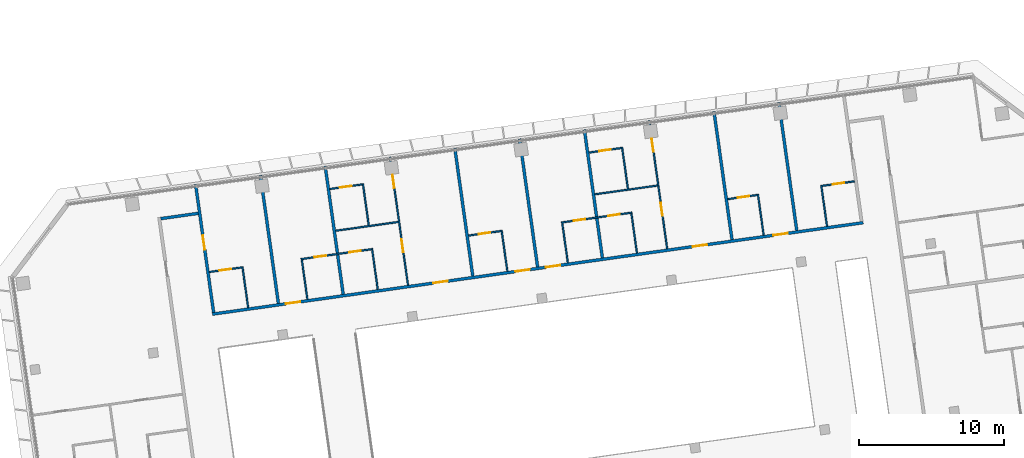
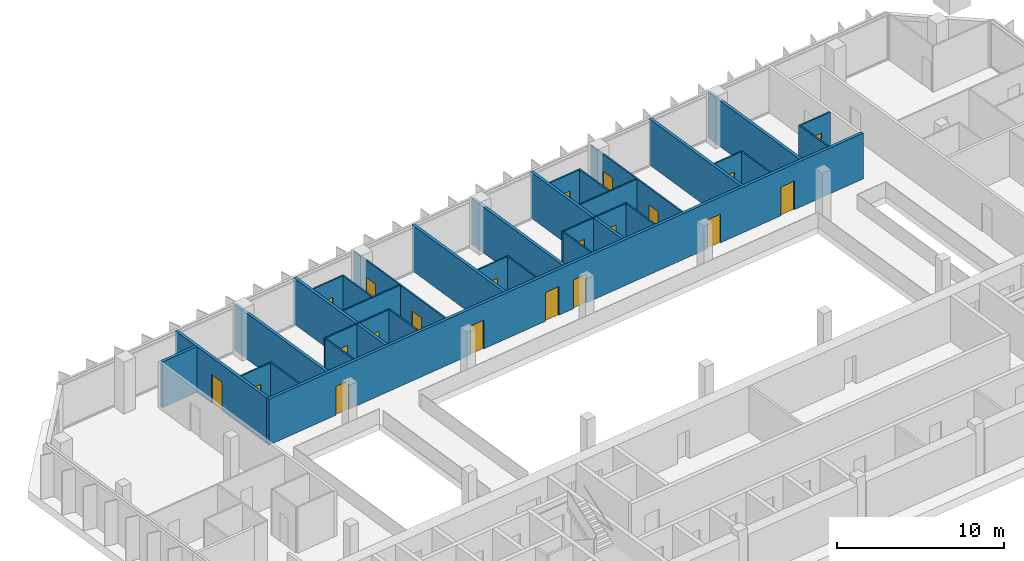
# One storey, part 22 of 26: 32 walls, 21 doors, 21 openings.
"""IFC4 building model written with IfcOpenShell, lengths in metres."""

import ifcopenshell
import ifcopenshell.guid

model = None  # the IFC model being written
_history = None  # IfcOwnerHistory: only IFC2X3 demands one
_inside = {}  # id of a spatial element -> (the spatial element, [elements in it])
_under = {}  # id of a project, library or spatial element -> (it, [spatial elements below it])
_declared = {}  # id of a project -> (the project, [libraries it declares])
_typed = {}  # id of a type object -> (the type object, [elements of that type])
_made_of = {}  # id of a material, layer set ... -> (it, [elements and type objects made of it])


def new_model(schema):
    """Start an empty IFC model of exactly this schema.

    Asked for "IFC4X3", IfcOpenShell would pick the latest addendum, in which some entities
    have other attributes; the version numbers below select the first issue.
    IFC2X3 requires an IfcOwnerHistory on every rooted entity: one is made here for all.
    """
    global model, _history
    if schema == "IFC4X3":
        model = ifcopenshell.file(schema_version=(4, 3, 0, 0))
    else:
        model = ifcopenshell.file(schema=schema)
    _inside.clear()
    _under.clear()
    _declared.clear()
    _typed.clear()
    _made_of.clear()
    _history = None
    if model.schema == "IFC2X3":
        org = make("IfcOrganization", Name="unknown")
        user = make(
            "IfcPersonAndOrganization",
            ThePerson=make("IfcPerson", FamilyName="unknown"),
            TheOrganization=org,
        )
        app = make(
            "IfcApplication",
            ApplicationDeveloper=org,
            Version="unknown",
            ApplicationFullName="unknown",
            ApplicationIdentifier="unknown",
        )
        _history = make(
            "IfcOwnerHistory",
            OwningUser=user,
            OwningApplication=app,
            ChangeAction="ADDED",
            CreationDate=0,
        )
    return model


def make(cls, **values):
    """One entity of the class cls with the attributes given. An attribute that is None is left unset."""
    return model.create_entity(
        cls, **{name: value for name, value in values.items() if value is not None}
    )


def rooted(cls, **values):
    """An entity with a GlobalId (a new one), such as an element, a storey or a relation."""
    return make(cls, GlobalId=ifcopenshell.guid.new(), OwnerHistory=_history, **values)


def si_unit(unit_type, name, prefix=None):
    """IfcSIUnit, for example si_unit("LENGTHUNIT", "METRE", prefix="MILLI")."""
    return make("IfcSIUnit", UnitType=unit_type, Prefix=prefix, Name=name)


def assignment(units):
    """IfcUnitAssignment: the units of a project."""
    return None if units is None else make("IfcUnitAssignment", Units=units)


def point(xyz):
    """IfcCartesianPoint."""
    return None if xyz is None else make("IfcCartesianPoint", Coordinates=xyz)


def direction(xyz):
    """IfcDirection."""
    return None if xyz is None else make("IfcDirection", DirectionRatios=xyz)


def frame(location, z_axis=None, x_axis=None):
    """IfcAxis2Placement3D, a coordinate frame: its origin and axes. An axis left out is left unset."""
    return make(
        "IfcAxis2Placement3D",
        Location=point(location),
        Axis=direction(z_axis),
        RefDirection=direction(x_axis),
    )


def frame_2d(location, x_axis=None):
    """IfcAxis2Placement2D, a coordinate frame in the plane: its origin and x axis."""
    return make(
        "IfcAxis2Placement2D", Location=point(location), RefDirection=direction(x_axis)
    )


def origin():
    """The frame at (0, 0, 0) with its axes left unset."""
    return frame((0.0, 0.0, 0.0))


def place(relative_to, where):
    """IfcLocalPlacement: puts the frame where relative to a parent placement (None: the world)."""
    return make(
        "IfcLocalPlacement", PlacementRelTo=relative_to, RelativePlacement=where
    )


def context(
    kind, dimensions, precision=None, world=None, true_north=None, identifier=None
):
    """IfcGeometricRepresentationContext, for example the 3D "Model" context."""
    return make(
        "IfcGeometricRepresentationContext",
        ContextIdentifier=identifier,
        ContextType=kind,
        CoordinateSpaceDimension=dimensions,
        Precision=precision,
        WorldCoordinateSystem=world,
        TrueNorth=true_north,
    )


def subcontext(parent, identifier, kind, view, scale=None):
    """IfcGeometricRepresentationSubContext, for example "Body" below "Model"."""
    return make(
        "IfcGeometricRepresentationSubContext",
        ContextIdentifier=identifier,
        ContextType=kind,
        ParentContext=parent,
        TargetScale=scale,
        TargetView=view,
    )


def project(units=None, contexts=None):
    """IfcProject with its units and contexts."""
    return rooted(
        "IfcProject",
        Name="project",
        RepresentationContexts=contexts,
        UnitsInContext=assignment(units),
    )


def spatial(cls, under=None, at=None, **own):
    """A site, building, storey or space (cls), placed at a placement, below another one or the project."""
    s = rooted(cls, ObjectPlacement=at, **own)
    if under is not None:
        _under.setdefault(under.id(), (under, []))[1].append(s)
    return s


def profile(cls, at=None, kind="AREA", **sizes):
    """A parametric profile (cls). Its sizes go by their IFC names, for example OverallWidth=200.0."""
    return make(cls, ProfileType=kind, Position=at, **sizes)


def rectangle(**sizes):
    """IfcRectangleProfileDef."""
    return profile("IfcRectangleProfileDef", **sizes)


def extrude(swept, where, along, depth):
    """IfcExtrudedAreaSolid: the profile swept, set in the frame where, extruded along a direction by depth."""
    return make(
        "IfcExtrudedAreaSolid",
        SweptArea=swept,
        Position=where,
        ExtrudedDirection=direction(along),
        Depth=depth,
    )


def shape(context_of_items, identifier, shape_type, items):
    """IfcShapeRepresentation: the items that make up one representation, for example the "Body"."""
    return make(
        "IfcShapeRepresentation",
        ContextOfItems=context_of_items,
        RepresentationIdentifier=identifier,
        RepresentationType=shape_type,
        Items=items,
    )


def material(Name=None, Category=None):
    """IfcMaterial."""
    return make("IfcMaterial", Name=Name, Category=Category)


def layer(
    of_material, thickness, ventilated=None, Name=None, Category=None, Priority=None
):
    """IfcMaterialLayer: one layer of a wall or slab, of a material (None: an air gap)."""
    return make(
        "IfcMaterialLayer",
        Material=of_material,
        LayerThickness=thickness,
        IsVentilated=ventilated,
        Name=Name,
        Category=Category,
        Priority=Priority,
    )


def layer_set(layers, Name=None):
    """IfcMaterialLayerSet."""
    return make("IfcMaterialLayerSet", MaterialLayers=layers, LayerSetName=Name)


def made_of(thing, what):
    """Note that an element or type object is made of a material, layer set ...; save() writes the relation."""
    if what is not None:
        _made_of.setdefault(what.id(), (what, []))[1].append(thing)
    return thing


def type_object(cls, material=None, **own):
    """A type object (cls), such as IfcWallType, which elements share."""
    return made_of(rooted(cls, **own), material)


def element(
    cls,
    number,
    at=None,
    inside=None,
    cuts=None,
    type_object=None,
    material=None,
    context=None,
    identifier="Body",
    shape_type=None,
    held_by="IfcProductDefinitionShape",
    body=None,
    shapes=None,
    **own,
):
    """One element of the class cls, such as IfcWall. Its Tag is "e" and its number.

    at: its placement. inside: the storey or other place that contains it. cuts: it is an
    opening in that element (IfcRelVoidsElement). A single representation is given by context,
    identifier, shape_type and body (its items); several are given by shapes. held_by: the class
    of the entity that holds the representations. save() writes the other relations.
    """
    e = rooted(cls, Tag="e%d" % number, ObjectPlacement=at, **own)
    if body is not None:
        shapes = [shape(context, identifier, shape_type, body)]
    if shapes is not None:
        e.Representation = make(held_by, Representations=shapes)
    if inside is not None:
        _inside.setdefault(inside.id(), (inside, []))[1].append(e)
    if cuts is not None:
        rooted(
            "IfcRelVoidsElement", RelatingBuildingElement=cuts, RelatedOpeningElement=e
        )
    if type_object is not None:
        _typed.setdefault(type_object.id(), (type_object, []))[1].append(e)
    return made_of(e, material)


def fill(opening, filler):
    """IfcRelFillsElement: the door or window that sits in an opening."""
    return rooted(
        "IfcRelFillsElement",
        RelatingOpeningElement=opening,
        RelatedBuildingElement=filler,
    )


def aggregate(whole, parts):
    """IfcRelAggregates: a whole, such as a stair, and the parts it consists of."""
    return rooted("IfcRelAggregates", RelatingObject=whole, RelatedObjects=parts)


def save(model, path):
    """Write the relations noted so far, then the file.

    IfcRelAggregates (storeys below a building ...), IfcRelContainedInSpatialStructure (elements
    in a storey), IfcRelDefinesByType, IfcRelAssociatesMaterial and IfcRelDeclares: one each for
    every whole, place, type object, material and project.
    """
    for whole, parts in _under.values():
        aggregate(whole, parts)
    for where, things in _inside.values():
        rooted(
            "IfcRelContainedInSpatialStructure",
            RelatedElements=things,
            RelatingStructure=where,
        )
    for kind, things in _typed.values():
        rooted("IfcRelDefinesByType", RelatedObjects=things, RelatingType=kind)
    for what, things in _made_of.values():
        rooted("IfcRelAssociatesMaterial", RelatedObjects=things, RelatingMaterial=what)
    for by, libraries in _declared.values():
        rooted("IfcRelDeclares", RelatingContext=by, RelatedDefinitions=libraries)
    model.write(path)


model = new_model("IFC4")

# Units and contexts
model_context = context("Model", 3, precision=1e-05, world=origin(), true_north=direction((0.0, 1.0)))
body_context = subcontext(model_context, "Body", "Model", "MODEL_VIEW")
ifc_project = project(units=[si_unit("LENGTHUNIT", "METRE"), si_unit("AREAUNIT", "SQUARE_METRE"), si_unit("VOLUMEUNIT", "CUBIC_METRE"), si_unit("PLANEANGLEUNIT", "RADIAN"), si_unit("MASSUNIT", "GRAM", prefix="KILO")], contexts=[model_context])

# Site, building, storey
site_placement = place(None, origin())
site = spatial("IfcSite", under=ifc_project, at=site_placement, CompositionType="ELEMENT")
building_placement = place(site_placement, origin())
building = spatial("IfcBuilding", under=site, at=building_placement, Name="Mirante Cascada Hotel Towers", CompositionType="ELEMENT")
storey_placement = place(building_placement, frame((0.0, 0.0, 144.3)))
storey = spatial("IfcBuildingStorey", under=building, at=storey_placement, Name="L33", CompositionType="ELEMENT", Elevation=144.3)

# Wall, openings, doors
ifc_material_1 = material(Name="Fire-rated plasterboard on metal studs")
ifc_layer_1 = layer(ifc_material_1, 0.2)
ifc_layer_set_1 = layer_set([ifc_layer_1], Name="Compartment wall 200 EI 120")
wall_type_1 = type_object("IfcWallType", Name="Compartment wall 200 EI 120", PredefinedType="PARTITIONING", material=ifc_layer_set_1)
wall_1_placement = place(storey_placement, frame((41.8779, 9.7676, 0.0), z_axis=(0.0, 0.0, 1.0), x_axis=(0.9902681, 0.1391726, 0.0)))
wall_1 = element("IfcWall", 1, at=wall_1_placement, inside=storey, type_object=wall_type_1, Name="Wall 2-L33-16", PredefinedType="PARTITIONING", context=body_context, shape_type="SweptSolid", body=[
    extrude(rectangle(XDim=45.2, YDim=0.2, at=frame_2d((22.6, 0.0))), origin(), (0.0, 0.0, 1.0), 3.35),
])
opening_1_placement = place(wall_1_placement, frame((5.1063, 0.0, 0.0)))
opening_1 = element("IfcOpeningElement", 2, at=opening_1_placement, cuts=wall_1, Name="Opening D2-L33-06", PredefinedType="OPENING", context=body_context, shape_type="SweptSolid", body=[
    extrude(rectangle(XDim=1.0, YDim=2.1, at=frame_2d((0.5, 1.05))), frame((0.0, 0.1, 0.0), z_axis=(0.0, -1.0, 0.0), x_axis=(1.0, 0.0, 0.0)), (0.0, 0.0, 1.0), 0.2),
])
opening_2_placement = place(wall_1_placement, frame((15.35, 0.0, 0.0)))
opening_2 = element("IfcOpeningElement", 3, at=opening_2_placement, cuts=wall_1, Name="Opening D2-L33-07", PredefinedType="OPENING", context=body_context, shape_type="SweptSolid", body=[
    extrude(rectangle(XDim=1.0, YDim=2.1, at=frame_2d((0.5, 1.05))), frame((0.0, 0.1, 0.0), z_axis=(0.0, -1.0, 0.0), x_axis=(1.0, 0.0, 0.0)), (0.0, 0.0, 1.0), 0.2),
])
opening_3_placement = place(wall_1_placement, frame((21.05, 0.0, 0.0)))
opening_3 = element("IfcOpeningElement", 4, at=opening_3_placement, cuts=wall_1, Name="Opening D2-L33-08", PredefinedType="OPENING", context=body_context, shape_type="SweptSolid", body=[
    extrude(rectangle(XDim=1.0, YDim=2.1, at=frame_2d((0.5, 1.05))), frame((0.0, 0.1, 0.0), z_axis=(0.0, -1.0, 0.0), x_axis=(1.0, 0.0, 0.0)), (0.0, 0.0, 1.0), 0.2),
])
opening_4_placement = place(wall_1_placement, frame((23.15, 0.0, 0.0)))
opening_4 = element("IfcOpeningElement", 5, at=opening_4_placement, cuts=wall_1, Name="Opening D2-L33-09", PredefinedType="OPENING", context=body_context, shape_type="SweptSolid", body=[
    extrude(rectangle(XDim=1.0, YDim=2.1, at=frame_2d((0.5, 1.05))), frame((0.0, 0.1, 0.0), z_axis=(0.0, -1.0, 0.0), x_axis=(1.0, 0.0, 0.0)), (0.0, 0.0, 1.0), 0.2),
])
opening_5_placement = place(wall_1_placement, frame((33.35, 0.0, 0.0)))
opening_5 = element("IfcOpeningElement", 6, at=opening_5_placement, cuts=wall_1, Name="Opening D2-L33-10", PredefinedType="OPENING", context=body_context, shape_type="SweptSolid", body=[
    extrude(rectangle(XDim=1.0, YDim=2.1, at=frame_2d((0.5, 1.05))), frame((0.0, 0.1, 0.0), z_axis=(0.0, -1.0, 0.0), x_axis=(1.0, 0.0, 0.0)), (0.0, 0.0, 1.0), 0.2),
])
opening_6_placement = place(wall_1_placement, frame((38.95, 0.0, 0.0)))
opening_6 = element("IfcOpeningElement", 7, at=opening_6_placement, cuts=wall_1, Name="Opening D2-L33-11", PredefinedType="OPENING", context=body_context, shape_type="SweptSolid", body=[
    extrude(rectangle(XDim=1.0, YDim=2.1, at=frame_2d((0.5, 1.05))), frame((0.0, 0.1, 0.0), z_axis=(0.0, -1.0, 0.0), x_axis=(1.0, 0.0, 0.0)), (0.0, 0.0, 1.0), 0.2),
])
ifc_material_2 = material(Name="Fire-rated timber door leaf", Category="wood")
door_type_1 = type_object("IfcDoorType", Name="Entrance door DG1 1000x2100 EI 60", OperationType="SINGLE_SWING_LEFT", PredefinedType="DOOR", material=ifc_material_2)
door_1_placement = place(opening_1_placement, origin())
door_1 = element("IfcDoor", 8, at=door_1_placement, inside=storey, type_object=door_type_1, Name="Door D2-L33-06", OperationType="SINGLE_SWING_LEFT", OverallHeight=2.1, OverallWidth=1.0, PredefinedType="DOOR", context=body_context, shape_type="SweptSolid", body=[
    extrude(rectangle(XDim=1.0, YDim=2.1, at=frame_2d((0.5, 1.05))), frame((0.0, 0.025, 0.0), z_axis=(0.0, -1.0, 0.0), x_axis=(1.0, 0.0, 0.0)), (0.0, 0.0, 1.0), 0.05),
])
fill(opening_1, door_1)
door_2_placement = place(opening_2_placement, origin())
door_2 = element("IfcDoor", 9, at=door_2_placement, inside=storey, type_object=door_type_1, Name="Door D2-L33-07", OperationType="SINGLE_SWING_LEFT", OverallHeight=2.1, OverallWidth=1.0, PredefinedType="DOOR", context=body_context, shape_type="SweptSolid", body=[
    extrude(rectangle(XDim=1.0, YDim=2.1, at=frame_2d((0.5, 1.05))), frame((0.0, 0.025, 0.0), z_axis=(0.0, -1.0, 0.0), x_axis=(1.0, 0.0, 0.0)), (0.0, 0.0, 1.0), 0.05),
])
fill(opening_2, door_2)
door_3_placement = place(opening_3_placement, origin())
door_3 = element("IfcDoor", 10, at=door_3_placement, inside=storey, type_object=door_type_1, Name="Door D2-L33-08", OperationType="SINGLE_SWING_LEFT", OverallHeight=2.1, OverallWidth=1.0, PredefinedType="DOOR", context=body_context, shape_type="SweptSolid", body=[
    extrude(rectangle(XDim=1.0, YDim=2.1, at=frame_2d((0.5, 1.05))), frame((0.0, 0.025, 0.0), z_axis=(0.0, -1.0, 0.0), x_axis=(1.0, 0.0, 0.0)), (0.0, 0.0, 1.0), 0.05),
])
fill(opening_3, door_3)
door_4_placement = place(opening_4_placement, origin())
door_4 = element("IfcDoor", 11, at=door_4_placement, inside=storey, type_object=door_type_1, Name="Door D2-L33-09", OperationType="SINGLE_SWING_LEFT", OverallHeight=2.1, OverallWidth=1.0, PredefinedType="DOOR", context=body_context, shape_type="SweptSolid", body=[
    extrude(rectangle(XDim=1.0, YDim=2.1, at=frame_2d((0.5, 1.05))), frame((0.0, 0.025, 0.0), z_axis=(0.0, -1.0, 0.0), x_axis=(1.0, 0.0, 0.0)), (0.0, 0.0, 1.0), 0.05),
])
fill(opening_4, door_4)
door_5_placement = place(opening_5_placement, origin())
door_5 = element("IfcDoor", 12, at=door_5_placement, inside=storey, type_object=door_type_1, Name="Door D2-L33-10", OperationType="SINGLE_SWING_LEFT", OverallHeight=2.1, OverallWidth=1.0, PredefinedType="DOOR", context=body_context, shape_type="SweptSolid", body=[
    extrude(rectangle(XDim=1.0, YDim=2.1, at=frame_2d((0.5, 1.05))), frame((0.0, 0.025, 0.0), z_axis=(0.0, -1.0, 0.0), x_axis=(1.0, 0.0, 0.0)), (0.0, 0.0, 1.0), 0.05),
])
fill(opening_5, door_5)
door_6_placement = place(opening_6_placement, origin())
door_6 = element("IfcDoor", 13, at=door_6_placement, inside=storey, type_object=door_type_1, Name="Door D2-L33-11", OperationType="SINGLE_SWING_LEFT", OverallHeight=2.1, OverallWidth=1.0, PredefinedType="DOOR", context=body_context, shape_type="SweptSolid", body=[
    extrude(rectangle(XDim=1.0, YDim=2.1, at=frame_2d((0.5, 1.05))), frame((0.0, 0.025, 0.0), z_axis=(0.0, -1.0, 0.0), x_axis=(1.0, 0.0, 0.0)), (0.0, 0.0, 1.0), 0.05),
])
fill(opening_6, door_6)

# Wall
wall_2_placement = place(storey_placement, frame((38.329, 16.3376, 0.0), z_axis=(0.0, 0.0, 1.0), x_axis=(0.9902647, 0.1391971, 0.0)))
element("IfcWall", 14, at=wall_2_placement, inside=storey, type_object=wall_type_1, Name="Wall 2-L33-26", PredefinedType="PARTITIONING", context=body_context, shape_type="SweptSolid", body=[
    extrude(rectangle(XDim=2.5999, YDim=0.2, at=frame_2d((1.3, 0.0))), origin(), (0.0, 0.0, 1.0), 3.35),
])

# Wall, opening, door
wall_3_placement = place(storey_placement, frame((41.963, 9.8805, 0.0), z_axis=(0.0, 0.0, 1.0), x_axis=(-0.1391794, 0.9902672, 0.0)))
wall_3 = element("IfcWall", 15, at=wall_3_placement, inside=storey, type_object=wall_type_1, Name="Wall 2-L33-36", PredefinedType="PARTITIONING", context=body_context, shape_type="SweptSolid", body=[
    extrude(rectangle(XDim=8.9, YDim=0.2, at=frame_2d((4.45, 0.0))), origin(), (0.0, 0.0, 1.0), 3.35),
])
opening_7_placement = place(wall_3_placement, frame((4.35, 0.0, 0.0)))
opening_7 = element("IfcOpeningElement", 16, at=opening_7_placement, cuts=wall_3, Name="Opening D2-L33-27", PredefinedType="OPENING", context=body_context, shape_type="SweptSolid", body=[
    extrude(rectangle(XDim=1.0, YDim=2.1, at=frame_2d((0.5, 1.05))), frame((0.0, 0.1, 0.0), z_axis=(0.0, -1.0, 0.0), x_axis=(1.0, 0.0, 0.0)), (0.0, 0.0, 1.0), 0.2),
])
door_7_placement = place(opening_7_placement, frame((1.0, 0.0, 0.0), z_axis=(0.0, 0.0, 1.0), x_axis=(-1.0, 0.0, 0.0)))
door_7 = element("IfcDoor", 17, at=door_7_placement, inside=storey, type_object=door_type_1, Name="Door D2-L33-27", OperationType="SINGLE_SWING_RIGHT", OverallHeight=2.1, OverallWidth=1.0, PredefinedType="DOOR", context=body_context, shape_type="SweptSolid", body=[
    extrude(rectangle(XDim=1.0, YDim=2.1, at=frame_2d((0.5, 1.05))), frame((0.0, 0.025, 0.0), z_axis=(0.0, -1.0, 0.0), x_axis=(1.0, 0.0, 0.0)), (0.0, 0.0, 1.0), 0.05),
])
fill(opening_7, door_7)

# Walls
for number, where, z_axis, x_axis, name in (
    (18, (46.4192, 10.5068, 0.0), (0.0, 0.0, 1.0), (-0.1391794, 0.9902672, 0.0), "Wall 2-L33-38"),
    (19, (50.8754, 11.1331, 0.0), (0.0, 0.0, 1.0), (-0.1391794, 0.9902672, 0.0), "Wall 2-L33-40"),
):
    element("IfcWall", number, at=place(storey_placement, frame(where, z_axis=z_axis, x_axis=x_axis)), inside=storey, type_object=wall_type_1, Name=name, PredefinedType="PARTITIONING", context=body_context, shape_type="SweptSolid", body=[
        extrude(rectangle(XDim=8.9, YDim=0.2, at=frame_2d((4.45, 0.0))), origin(), (0.0, 0.0, 1.0), 3.35),
    ])
wall_4_placement = place(storey_placement, frame((59.7878, 12.3857, 0.0), z_axis=(0.0, 0.0, 1.0), x_axis=(-0.13917, 0.9902685, 0.0)))
element("IfcWall", 20, at=wall_4_placement, inside=storey, type_object=wall_type_1, Name="Wall 2-L33-44", PredefinedType="PARTITIONING", context=body_context, shape_type="SweptSolid", body=[
    extrude(rectangle(XDim=8.8999, YDim=0.2, at=frame_2d((4.45, 0.0))), origin(), (0.0, 0.0, 1.0), 3.35),
])
for number, where, z_axis, x_axis, name in (
    (21, (64.244, 13.0119, 0.0), (0.0, 0.0, 1.0), (-0.1391684, 0.9902687, 0.0), "Wall 2-L33-46"),
    (22, (68.7002, 13.6382, 0.0), (0.0, 0.0, 1.0), (-0.1391684, 0.9902687, 0.0), "Wall 2-L33-48"),
    (23, (77.6126, 14.8908, 0.0), (0.0, 0.0, 1.0), (-0.1391684, 0.9902687, 0.0), "Wall 2-L33-52"),
):
    element("IfcWall", number, at=place(storey_placement, frame(where, z_axis=z_axis, x_axis=x_axis)), inside=storey, type_object=wall_type_1, Name=name, PredefinedType="PARTITIONING", context=body_context, shape_type="SweptSolid", body=[
        extrude(rectangle(XDim=8.9, YDim=0.2, at=frame_2d((4.45, 0.0))), origin(), (0.0, 0.0, 1.0), 3.35),
    ])
wall_5_placement = place(storey_placement, frame((82.0688, 15.5171, 0.0), z_axis=(0.0, 0.0, 1.0), x_axis=(-0.13917, 0.9902685, 0.0)))
element("IfcWall", 24, at=wall_5_placement, inside=storey, type_object=wall_type_1, Name="Wall 2-L33-54", PredefinedType="PARTITIONING", context=body_context, shape_type="SweptSolid", body=[
    extrude(rectangle(XDim=8.8999, YDim=0.2, at=frame_2d((4.45, 0.0))), origin(), (0.0, 0.0, 1.0), 3.35),
])

# Wall, opening, door
ifc_material_3 = material(Name="Plasterboard on metal studs")
ifc_layer_2 = layer(ifc_material_3, 0.1)
ifc_layer_set_2 = layer_set([ifc_layer_2], Name="Partition 100")
wall_type_2 = type_object("IfcWallType", Name="Partition 100", PredefinedType="PARTITIONING", material=ifc_layer_set_2)
wall_6_placement = place(storey_placement, frame((43.9004, 12.9804, 0.0), z_axis=(0.0, 0.0, 1.0), x_axis=(-0.9902643, -0.1391997, 0.0)))
wall_6 = element("IfcWall", 25, at=wall_6_placement, inside=storey, type_object=wall_type_2, Name="Wall 2-L33-17", PredefinedType="PARTITIONING", context=body_context, shape_type="SweptSolid", body=[
    extrude(rectangle(XDim=2.25, YDim=0.1, at=frame_2d((1.125, 0.0))), origin(), (0.0, 0.0, 1.0), 3.35),
])
opening_8_placement = place(wall_6_placement, frame((0.75, 0.0, 0.0)))
opening_8 = element("IfcOpeningElement", 26, at=opening_8_placement, cuts=wall_6, Name="Opening D2-L33-12", PredefinedType="OPENING", context=body_context, shape_type="SweptSolid", body=[
    extrude(rectangle(XDim=0.8, YDim=2.1, at=frame_2d((0.4, 1.05))), frame((0.0, 0.05, 0.0), z_axis=(0.0, -1.0, 0.0), x_axis=(1.0, 0.0, 0.0)), (0.0, 0.0, 1.0), 0.1),
])
ifc_material_4 = material(Name="Timber door leaf", Category="wood")
door_type_2 = type_object("IfcDoorType", Name="Bathroom door DG4 800x2100", OperationType="SINGLE_SWING_LEFT", PredefinedType="DOOR", material=ifc_material_4)
door_8_placement = place(opening_8_placement, frame((0.8, 0.0, 0.0), z_axis=(0.0, 0.0, 1.0), x_axis=(-1.0, 0.0, 0.0)))
door_8 = element("IfcDoor", 27, at=door_8_placement, inside=storey, type_object=door_type_2, Name="Door D2-L33-12", OperationType="SINGLE_SWING_RIGHT", OverallHeight=2.1, OverallWidth=0.8, PredefinedType="DOOR", context=body_context, shape_type="SweptSolid", body=[
    extrude(rectangle(XDim=0.8, YDim=2.1, at=frame_2d((0.4, 1.05))), frame((0.0, 0.025, 0.0), z_axis=(0.0, -1.0, 0.0), x_axis=(1.0, 0.0, 0.0)), (0.0, 0.0, 1.0), 0.05),
])
fill(opening_8, door_8)

# Wall, openings, doors
wall_7_placement = place(storey_placement, frame((47.9729, 13.5527, 0.0), z_axis=(0.0, 0.0, 1.0), x_axis=(0.9902689, 0.139167, 0.0)))
wall_7 = element("IfcWall", 28, at=wall_7_placement, inside=storey, type_object=wall_type_2, Name="Wall 2-L33-18", PredefinedType="PARTITIONING", context=body_context, shape_type="SweptSolid", body=[
    extrude(rectangle(XDim=4.9875, YDim=0.1, at=frame_2d((2.4938, 0.0))), origin(), (0.0, 0.0, 1.0), 3.35),
])
opening_9_placement = place(wall_7_placement, frame((0.9375, 0.0, 0.0)))
opening_9 = element("IfcOpeningElement", 29, at=opening_9_placement, cuts=wall_7, Name="Opening D2-L33-13", PredefinedType="OPENING", context=body_context, shape_type="SweptSolid", body=[
    extrude(rectangle(XDim=0.8, YDim=2.1, at=frame_2d((0.4, 1.05))), frame((0.0, 0.05, 0.0), z_axis=(0.0, -1.0, 0.0), x_axis=(1.0, 0.0, 0.0)), (0.0, 0.0, 1.0), 0.1),
])
opening_10_placement = place(wall_7_placement, frame((3.3375, 0.0, 0.0)))
opening_10 = element("IfcOpeningElement", 30, at=opening_10_placement, cuts=wall_7, Name="Opening D2-L33-14", PredefinedType="OPENING", context=body_context, shape_type="SweptSolid", body=[
    extrude(rectangle(XDim=0.8, YDim=2.1, at=frame_2d((0.4, 1.05))), frame((0.0, 0.05, 0.0), z_axis=(0.0, -1.0, 0.0), x_axis=(1.0, 0.0, 0.0)), (0.0, 0.0, 1.0), 0.1),
])
door_9_placement = place(opening_9_placement, origin())
door_9 = element("IfcDoor", 31, at=door_9_placement, inside=storey, type_object=door_type_2, Name="Door D2-L33-13", OperationType="SINGLE_SWING_LEFT", OverallHeight=2.1, OverallWidth=0.8, PredefinedType="DOOR", context=body_context, shape_type="SweptSolid", body=[
    extrude(rectangle(XDim=0.8, YDim=2.1, at=frame_2d((0.4, 1.05))), frame((0.0, 0.025, 0.0), z_axis=(0.0, -1.0, 0.0), x_axis=(1.0, 0.0, 0.0)), (0.0, 0.0, 1.0), 0.05),
])
fill(opening_9, door_9)
door_10_placement = place(opening_10_placement, frame((0.8, 0.0, 0.0), z_axis=(0.0, 0.0, 1.0), x_axis=(-1.0, 0.0, 0.0)))
door_10 = element("IfcDoor", 32, at=door_10_placement, inside=storey, type_object=door_type_2, Name="Door D2-L33-14", OperationType="SINGLE_SWING_RIGHT", OverallHeight=2.1, OverallWidth=0.8, PredefinedType="DOOR", context=body_context, shape_type="SweptSolid", body=[
    extrude(rectangle(XDim=0.8, YDim=2.1, at=frame_2d((0.4, 1.05))), frame((0.0, 0.025, 0.0), z_axis=(0.0, -1.0, 0.0), x_axis=(1.0, 0.0, 0.0)), (0.0, 0.0, 1.0), 0.05),
])
fill(opening_10, door_10)

# Wall, opening, door
wall_8_placement = place(storey_placement, frame((61.7252, 15.4855, 0.0), z_axis=(0.0, 0.0, 1.0), x_axis=(-0.9902643, -0.1391997, 0.0)))
wall_8 = element("IfcWall", 33, at=wall_8_placement, inside=storey, type_object=wall_type_2, Name="Wall 2-L33-19", PredefinedType="PARTITIONING", context=body_context, shape_type="SweptSolid", body=[
    extrude(rectangle(XDim=2.25, YDim=0.1, at=frame_2d((1.125, 0.0))), origin(), (0.0, 0.0, 1.0), 3.35),
])
opening_11_placement = place(wall_8_placement, frame((0.75, 0.0, 0.0)))
opening_11 = element("IfcOpeningElement", 34, at=opening_11_placement, cuts=wall_8, Name="Opening D2-L33-15", PredefinedType="OPENING", context=body_context, shape_type="SweptSolid", body=[
    extrude(rectangle(XDim=0.8, YDim=2.1, at=frame_2d((0.4, 1.05))), frame((0.0, 0.05, 0.0), z_axis=(0.0, -1.0, 0.0), x_axis=(1.0, 0.0, 0.0)), (0.0, 0.0, 1.0), 0.1),
])
door_11_placement = place(opening_11_placement, frame((0.8, 0.0, 0.0), z_axis=(0.0, 0.0, 1.0), x_axis=(-1.0, 0.0, 0.0)))
door_11 = element("IfcDoor", 35, at=door_11_placement, inside=storey, type_object=door_type_2, Name="Door D2-L33-15", OperationType="SINGLE_SWING_RIGHT", OverallHeight=2.1, OverallWidth=0.8, PredefinedType="DOOR", context=body_context, shape_type="SweptSolid", body=[
    extrude(rectangle(XDim=0.8, YDim=2.1, at=frame_2d((0.4, 1.05))), frame((0.0, 0.025, 0.0), z_axis=(0.0, -1.0, 0.0), x_axis=(1.0, 0.0, 0.0)), (0.0, 0.0, 1.0), 0.05),
])
fill(opening_11, door_11)

# Wall, openings, doors
wall_9_placement = place(storey_placement, frame((65.8844, 16.07, 0.0), z_axis=(0.0, 0.0, 1.0), x_axis=(0.9902694, 0.1391638, 0.0)))
wall_9 = element("IfcWall", 36, at=wall_9_placement, inside=storey, type_object=wall_type_2, Name="Wall 2-L33-20", PredefinedType="PARTITIONING", context=body_context, shape_type="SweptSolid", body=[
    extrude(rectangle(XDim=4.9, YDim=0.1, at=frame_2d((2.45, 0.0))), origin(), (0.0, 0.0, 1.0), 3.35),
])
opening_12_placement = place(wall_9_placement, frame((0.85, 0.0, 0.0)))
opening_12 = element("IfcOpeningElement", 37, at=opening_12_placement, cuts=wall_9, Name="Opening D2-L33-16", PredefinedType="OPENING", context=body_context, shape_type="SweptSolid", body=[
    extrude(rectangle(XDim=0.8, YDim=2.1, at=frame_2d((0.4, 1.05))), frame((0.0, 0.05, 0.0), z_axis=(0.0, -1.0, 0.0), x_axis=(1.0, 0.0, 0.0)), (0.0, 0.0, 1.0), 0.1),
])
opening_13_placement = place(wall_9_placement, frame((3.25, 0.0, 0.0)))
opening_13 = element("IfcOpeningElement", 38, at=opening_13_placement, cuts=wall_9, Name="Opening D2-L33-17", PredefinedType="OPENING", context=body_context, shape_type="SweptSolid", body=[
    extrude(rectangle(XDim=0.8, YDim=2.1, at=frame_2d((0.4, 1.05))), frame((0.0, 0.05, 0.0), z_axis=(0.0, -1.0, 0.0), x_axis=(1.0, 0.0, 0.0)), (0.0, 0.0, 1.0), 0.1),
])
door_12_placement = place(opening_12_placement, origin())
door_12 = element("IfcDoor", 39, at=door_12_placement, inside=storey, type_object=door_type_2, Name="Door D2-L33-16", OperationType="SINGLE_SWING_LEFT", OverallHeight=2.1, OverallWidth=0.8, PredefinedType="DOOR", context=body_context, shape_type="SweptSolid", body=[
    extrude(rectangle(XDim=0.8, YDim=2.1, at=frame_2d((0.4, 1.05))), frame((0.0, 0.025, 0.0), z_axis=(0.0, -1.0, 0.0), x_axis=(1.0, 0.0, 0.0)), (0.0, 0.0, 1.0), 0.05),
])
fill(opening_12, door_12)
door_13_placement = place(opening_13_placement, frame((0.8, 0.0, 0.0), z_axis=(0.0, 0.0, 1.0), x_axis=(-1.0, 0.0, 0.0)))
door_13 = element("IfcDoor", 40, at=door_13_placement, inside=storey, type_object=door_type_2, Name="Door D2-L33-17", OperationType="SINGLE_SWING_RIGHT", OverallHeight=2.1, OverallWidth=0.8, PredefinedType="DOOR", context=body_context, shape_type="SweptSolid", body=[
    extrude(rectangle(XDim=0.8, YDim=2.1, at=frame_2d((0.4, 1.05))), frame((0.0, 0.025, 0.0), z_axis=(0.0, -1.0, 0.0), x_axis=(1.0, 0.0, 0.0)), (0.0, 0.0, 1.0), 0.05),
])
fill(opening_13, door_13)

# Wall, opening, door
wall_10_placement = place(storey_placement, frame((79.352, 17.9627, 0.0), z_axis=(0.0, 0.0, 1.0), x_axis=(-0.9902679, -0.1391741, 0.0)))
wall_10 = element("IfcWall", 41, at=wall_10_placement, inside=storey, type_object=wall_type_2, Name="Wall 2-L33-21", PredefinedType="PARTITIONING", context=body_context, shape_type="SweptSolid", body=[
    extrude(rectangle(XDim=2.05, YDim=0.1, at=frame_2d((1.025, 0.0))), origin(), (0.0, 0.0, 1.0), 3.35),
])
opening_14_placement = place(wall_10_placement, frame((0.55, 0.0, 0.0)))
opening_14 = element("IfcOpeningElement", 42, at=opening_14_placement, cuts=wall_10, Name="Opening D2-L33-18", PredefinedType="OPENING", context=body_context, shape_type="SweptSolid", body=[
    extrude(rectangle(XDim=0.8, YDim=2.1, at=frame_2d((0.4, 1.05))), frame((0.0, 0.05, 0.0), z_axis=(0.0, -1.0, 0.0), x_axis=(1.0, 0.0, 0.0)), (0.0, 0.0, 1.0), 0.1),
])
door_14_placement = place(opening_14_placement, frame((0.8, 0.0, 0.0), z_axis=(0.0, 0.0, 1.0), x_axis=(-1.0, 0.0, 0.0)))
door_14 = element("IfcDoor", 43, at=door_14_placement, inside=storey, type_object=door_type_2, Name="Door D2-L33-18", OperationType="SINGLE_SWING_RIGHT", OverallHeight=2.1, OverallWidth=0.8, PredefinedType="DOOR", context=body_context, shape_type="SweptSolid", body=[
    extrude(rectangle(XDim=0.8, YDim=2.1, at=frame_2d((0.4, 1.05))), frame((0.0, 0.025, 0.0), z_axis=(0.0, -1.0, 0.0), x_axis=(1.0, 0.0, 0.0)), (0.0, 0.0, 1.0), 0.05),
])
fill(opening_14, door_14)

wall_11_placement = place(storey_placement, frame((83.8082, 18.589, 0.0), z_axis=(0.0, 0.0, 1.0), x_axis=(0.9902643, 0.1391997, 0.0)))
wall_11 = element("IfcWall", 44, at=wall_11_placement, inside=storey, type_object=wall_type_2, Name="Wall 2-L33-22", PredefinedType="PARTITIONING", context=body_context, shape_type="SweptSolid", body=[
    extrude(rectangle(XDim=2.25, YDim=0.1, at=frame_2d((1.125, 0.0))), origin(), (0.0, 0.0, 1.0), 3.35),
])
opening_15_placement = place(wall_11_placement, frame((0.75, 0.0, 0.0)))
opening_15 = element("IfcOpeningElement", 45, at=opening_15_placement, cuts=wall_11, Name="Opening D2-L33-19", PredefinedType="OPENING", context=body_context, shape_type="SweptSolid", body=[
    extrude(rectangle(XDim=0.8, YDim=2.1, at=frame_2d((0.4, 1.05))), frame((0.0, 0.05, 0.0), z_axis=(0.0, -1.0, 0.0), x_axis=(1.0, 0.0, 0.0)), (0.0, 0.0, 1.0), 0.1),
])
door_15_placement = place(opening_15_placement, origin())
door_15 = element("IfcDoor", 46, at=door_15_placement, inside=storey, type_object=door_type_2, Name="Door D2-L33-19", OperationType="SINGLE_SWING_LEFT", OverallHeight=2.1, OverallWidth=0.8, PredefinedType="DOOR", context=body_context, shape_type="SweptSolid", body=[
    extrude(rectangle(XDim=0.8, YDim=2.1, at=frame_2d((0.4, 1.05))), frame((0.0, 0.025, 0.0), z_axis=(0.0, -1.0, 0.0), x_axis=(1.0, 0.0, 0.0)), (0.0, 0.0, 1.0), 0.05),
])
fill(opening_15, door_15)

# Walls
wall_12_placement = place(storey_placement, frame((54.6697, 16.1096, 0.0), z_axis=(0.0, 0.0, 1.0), x_axis=(-0.9902683, -0.1391714, 0.0)))
element("IfcWall", 47, at=wall_12_placement, inside=storey, type_object=wall_type_2, Name="Wall 2-L33-23", PredefinedType="PARTITIONING", context=body_context, shape_type="SweptSolid", body=[
    extrude(rectangle(XDim=4.35, YDim=0.1, at=frame_2d((2.175, 0.0))), origin(), (0.0, 0.0, 1.0), 3.35),
])
wall_13_placement = place(storey_placement, frame((68.1869, 18.0093, 0.0), z_axis=(0.0, 0.0, 1.0), x_axis=(0.9902679, 0.1391745, 0.0)))
element("IfcWall", 48, at=wall_13_placement, inside=storey, type_object=wall_type_2, Name="Wall 2-L33-24", PredefinedType="PARTITIONING", context=body_context, shape_type="SweptSolid", body=[
    extrude(rectangle(XDim=4.3499, YDim=0.1, at=frame_2d((2.175, 0.0))), origin(), (0.0, 0.0, 1.0), 3.35),
])

# Wall, opening, door
wall_14_placement = place(storey_placement, frame((49.9584, 18.376, 0.0), z_axis=(0.0, 0.0, 1.0), x_axis=(0.9902705, 0.1391561, 0.0)))
wall_14 = element("IfcWall", 49, at=wall_14_placement, inside=storey, type_object=wall_type_2, Name="Wall 2-L33-28", PredefinedType="PARTITIONING", context=body_context, shape_type="SweptSolid", body=[
    extrude(rectangle(XDim=2.25, YDim=0.1, at=frame_2d((1.125, 0.0))), origin(), (0.0, 0.0, 1.0), 3.35),
])
opening_16_placement = place(wall_14_placement, frame((0.7, 0.0, 0.0)))
opening_16 = element("IfcOpeningElement", 50, at=opening_16_placement, cuts=wall_14, Name="Opening D2-L33-20", PredefinedType="OPENING", context=body_context, shape_type="SweptSolid", body=[
    extrude(rectangle(XDim=0.8, YDim=2.1, at=frame_2d((0.4, 1.05))), frame((0.0, 0.05, 0.0), z_axis=(0.0, -1.0, 0.0), x_axis=(1.0, 0.0, 0.0)), (0.0, 0.0, 1.0), 0.1),
])
door_16_placement = place(opening_16_placement, frame((0.8, 0.0, 0.0), z_axis=(0.0, 0.0, 1.0), x_axis=(-1.0, 0.0, 0.0)))
door_16 = element("IfcDoor", 51, at=door_16_placement, inside=storey, type_object=door_type_2, Name="Door D2-L33-20", OperationType="SINGLE_SWING_RIGHT", OverallHeight=2.1, OverallWidth=0.8, PredefinedType="DOOR", context=body_context, shape_type="SweptSolid", body=[
    extrude(rectangle(XDim=0.8, YDim=2.1, at=frame_2d((0.4, 1.05))), frame((0.0, 0.025, 0.0), z_axis=(0.0, -1.0, 0.0), x_axis=(1.0, 0.0, 0.0)), (0.0, 0.0, 1.0), 0.05),
])
fill(opening_16, door_16)

wall_15_placement = place(storey_placement, frame((70.0114, 21.1942, 0.0), z_axis=(0.0, 0.0, 1.0), x_axis=(-0.9902705, -0.1391561, 0.0)))
wall_15 = element("IfcWall", 52, at=wall_15_placement, inside=storey, type_object=wall_type_2, Name="Wall 2-L33-29", PredefinedType="PARTITIONING", context=body_context, shape_type="SweptSolid", body=[
    extrude(rectangle(XDim=2.25, YDim=0.1, at=frame_2d((1.125, 0.0))), origin(), (0.0, 0.0, 1.0), 3.35),
])
opening_17_placement = place(wall_15_placement, frame((0.75, 0.0, 0.0)))
opening_17 = element("IfcOpeningElement", 53, at=opening_17_placement, cuts=wall_15, Name="Opening D2-L33-21", PredefinedType="OPENING", context=body_context, shape_type="SweptSolid", body=[
    extrude(rectangle(XDim=0.8, YDim=2.1, at=frame_2d((0.4, 1.05))), frame((0.0, 0.05, 0.0), z_axis=(0.0, -1.0, 0.0), x_axis=(1.0, 0.0, 0.0)), (0.0, 0.0, 1.0), 0.1),
])
door_17_placement = place(opening_17_placement, origin())
door_17 = element("IfcDoor", 54, at=door_17_placement, inside=storey, type_object=door_type_2, Name="Door D2-L33-21", OperationType="SINGLE_SWING_LEFT", OverallHeight=2.1, OverallWidth=0.8, PredefinedType="DOOR", context=body_context, shape_type="SweptSolid", body=[
    extrude(rectangle(XDim=0.8, YDim=2.1, at=frame_2d((0.4, 1.05))), frame((0.0, 0.025, 0.0), z_axis=(0.0, -1.0, 0.0), x_axis=(1.0, 0.0, 0.0)), (0.0, 0.0, 1.0), 0.05),
])
fill(opening_17, door_17)

# Walls
wall_16_placement = place(storey_placement, frame((43.943, 13.0368, 0.0), z_axis=(0.0, 0.0, 1.0), x_axis=(0.1391613, -0.9902697, 0.0)))
element("IfcWall", 55, at=wall_16_placement, inside=storey, type_object=wall_type_2, Name="Wall 2-L33-37", PredefinedType="PARTITIONING", context=body_context, shape_type="SweptSolid", body=[
    extrude(rectangle(XDim=2.8499, YDim=0.1, at=frame_2d((1.425, 0.0))), origin(), (0.0, 0.0, 1.0), 3.35),
])
wall_17_placement = place(storey_placement, frame((48.0294, 13.5101, 0.0), z_axis=(0.0, 0.0, 1.0), x_axis=(0.1391657, -0.9902691, 0.0)))
element("IfcWall", 56, at=wall_17_placement, inside=storey, type_object=wall_type_2, Name="Wall 2-L33-39", PredefinedType="PARTITIONING", context=body_context, shape_type="SweptSolid", body=[
    extrude(rectangle(XDim=2.75, YDim=0.1, at=frame_2d((1.375, 0.0))), origin(), (0.0, 0.0, 1.0), 3.35),
])
wall_18_placement = place(storey_placement, frame((52.8693, 14.1904, 0.0), z_axis=(0.0, 0.0, 1.0), x_axis=(0.1391607, -0.9902698, 0.0)))
element("IfcWall", 57, at=wall_18_placement, inside=storey, type_object=wall_type_2, Name="Wall 2-L33-41", PredefinedType="PARTITIONING", context=body_context, shape_type="SweptSolid", body=[
    extrude(rectangle(XDim=2.7501, YDim=0.1, at=frame_2d((1.3751, 0.0))), origin(), (0.0, 0.0, 1.0), 3.35),
])
wall_19_placement = place(storey_placement, frame((52.6327, 15.8738, 0.0), z_axis=(0.0, 0.0, 1.0), x_axis=(-0.1391714, 0.9902683, 0.0)))
element("IfcWall", 58, at=wall_19_placement, inside=storey, type_object=wall_type_2, Name="Wall 2-L33-42", PredefinedType="PARTITIONING", context=body_context, shape_type="SweptSolid", body=[
    extrude(rectangle(XDim=2.9, YDim=0.1, at=frame_2d((1.45, 0.0))), origin(), (0.0, 0.0, 1.0), 3.35),
])

# Wall, openings, doors
wall_20_placement = place(storey_placement, frame((54.0929, 20.5728, 0.0), z_axis=(0.0, 0.0, 1.0), x_axis=(0.1391794, -0.9902672, 0.0)))
wall_20 = element("IfcWall", 59, at=wall_20_placement, inside=storey, type_object=wall_type_2, Name="Wall 2-L33-43", PredefinedType="PARTITIONING", context=body_context, shape_type="SweptSolid", body=[
    extrude(rectangle(XDim=8.9, YDim=0.1, at=frame_2d((4.45, 0.0))), origin(), (0.0, 0.0, 1.0), 3.35),
])
opening_18_placement = place(wall_20_placement, frame((5.7, 0.0, 0.0)))
opening_18 = element("IfcOpeningElement", 60, at=opening_18_placement, cuts=wall_20, Name="Opening D2-L33-28", PredefinedType="OPENING", context=body_context, shape_type="SweptSolid", body=[
    extrude(rectangle(XDim=0.9, YDim=2.1, at=frame_2d((0.45, 1.05))), frame((0.0, 0.05, 0.0), z_axis=(0.0, -1.0, 0.0), x_axis=(1.0, 0.0, 0.0)), (0.0, 0.0, 1.0), 0.1),
])
opening_19_placement = place(wall_20_placement, frame((1.25, 0.0, 0.0)))
opening_19 = element("IfcOpeningElement", 61, at=opening_19_placement, cuts=wall_20, Name="Opening D2-L33-29", PredefinedType="OPENING", context=body_context, shape_type="SweptSolid", body=[
    extrude(rectangle(XDim=0.9, YDim=2.1, at=frame_2d((0.45, 1.05))), frame((0.0, 0.05, 0.0), z_axis=(0.0, -1.0, 0.0), x_axis=(1.0, 0.0, 0.0)), (0.0, 0.0, 1.0), 0.1),
])
ifc_material_5 = material(Name="Timber door leaf", Category="wood")
door_type_3 = type_object("IfcDoorType", Name="Room door DG3 900x2100", OperationType="SINGLE_SWING_LEFT", PredefinedType="DOOR", material=ifc_material_5)
door_18_placement = place(opening_18_placement, origin())
door_18 = element("IfcDoor", 62, at=door_18_placement, inside=storey, type_object=door_type_3, Name="Door D2-L33-28", OperationType="SINGLE_SWING_LEFT", OverallHeight=2.1, OverallWidth=0.9, PredefinedType="DOOR", context=body_context, shape_type="SweptSolid", body=[
    extrude(rectangle(XDim=0.9, YDim=2.1, at=frame_2d((0.45, 1.05))), frame((0.0, 0.025, 0.0), z_axis=(0.0, -1.0, 0.0), x_axis=(1.0, 0.0, 0.0)), (0.0, 0.0, 1.0), 0.05),
])
fill(opening_18, door_18)
door_19_placement = place(opening_19_placement, origin())
door_19 = element("IfcDoor", 63, at=door_19_placement, inside=storey, type_object=door_type_3, Name="Door D2-L33-29", OperationType="SINGLE_SWING_LEFT", OverallHeight=2.1, OverallWidth=0.9, PredefinedType="DOOR", context=body_context, shape_type="SweptSolid", body=[
    extrude(rectangle(XDim=0.9, YDim=2.1, at=frame_2d((0.45, 1.05))), frame((0.0, 0.025, 0.0), z_axis=(0.0, -1.0, 0.0), x_axis=(1.0, 0.0, 0.0)), (0.0, 0.0, 1.0), 0.05),
])
fill(opening_19, door_19)

# Walls
wall_21_placement = place(storey_placement, frame((61.7678, 15.5419, 0.0), z_axis=(0.0, 0.0, 1.0), x_axis=(0.1391613, -0.9902697, 0.0)))
element("IfcWall", 64, at=wall_21_placement, inside=storey, type_object=wall_type_2, Name="Wall 2-L33-45", PredefinedType="PARTITIONING", context=body_context, shape_type="SweptSolid", body=[
    extrude(rectangle(XDim=2.8499, YDim=0.1, at=frame_2d((1.425, 0.0))), origin(), (0.0, 0.0, 1.0), 3.35),
])
wall_22_placement = place(storey_placement, frame((65.9408, 16.0274, 0.0), z_axis=(0.0, 0.0, 1.0), x_axis=(0.1392013, -0.9902641, 0.0)))
element("IfcWall", 65, at=wall_22_placement, inside=storey, type_object=wall_type_2, Name="Wall 2-L33-47", PredefinedType="PARTITIONING", context=body_context, shape_type="SweptSolid", body=[
    extrude(rectangle(XDim=2.75, YDim=0.1, at=frame_2d((1.375, 0.0))), origin(), (0.0, 0.0, 1.0), 3.35),
])
wall_23_placement = place(storey_placement, frame((70.6941, 16.6955, 0.0), z_axis=(0.0, 0.0, 1.0), x_axis=(0.1391963, -0.9902648, 0.0)))
element("IfcWall", 66, at=wall_23_placement, inside=storey, type_object=wall_type_2, Name="Wall 2-L33-49", PredefinedType="PARTITIONING", context=body_context, shape_type="SweptSolid", body=[
    extrude(rectangle(XDim=2.7501, YDim=0.1, at=frame_2d((1.3751, 0.0))), origin(), (0.0, 0.0, 1.0), 3.35),
])
wall_24_placement = place(storey_placement, frame((70.4575, 18.3789, 0.0), z_axis=(0.0, 0.0, 1.0), x_axis=(-0.1391714, 0.9902683, 0.0)))
element("IfcWall", 67, at=wall_24_placement, inside=storey, type_object=wall_type_2, Name="Wall 2-L33-50", PredefinedType="PARTITIONING", context=body_context, shape_type="SweptSolid", body=[
    extrude(rectangle(XDim=2.9, YDim=0.1, at=frame_2d((1.45, 0.0))), origin(), (0.0, 0.0, 1.0), 3.35),
])

# Wall, openings, doors
wall_25_placement = place(storey_placement, frame((71.9178, 23.0779, 0.0), z_axis=(0.0, 0.0, 1.0), x_axis=(0.1391684, -0.9902687, 0.0)))
wall_25 = element("IfcWall", 68, at=wall_25_placement, inside=storey, type_object=wall_type_2, Name="Wall 2-L33-51", PredefinedType="PARTITIONING", context=body_context, shape_type="SweptSolid", body=[
    extrude(rectangle(XDim=8.9, YDim=0.1, at=frame_2d((4.45, 0.0))), origin(), (0.0, 0.0, 1.0), 3.35),
])
opening_20_placement = place(wall_25_placement, frame((5.7, 0.0, 0.0)))
opening_20 = element("IfcOpeningElement", 69, at=opening_20_placement, cuts=wall_25, Name="Opening D2-L33-30", PredefinedType="OPENING", context=body_context, shape_type="SweptSolid", body=[
    extrude(rectangle(XDim=0.9, YDim=2.1, at=frame_2d((0.45, 1.05))), frame((0.0, 0.05, 0.0), z_axis=(0.0, -1.0, 0.0), x_axis=(1.0, 0.0, 0.0)), (0.0, 0.0, 1.0), 0.1),
])
opening_21_placement = place(wall_25_placement, frame((1.25, 0.0, 0.0)))
opening_21 = element("IfcOpeningElement", 70, at=opening_21_placement, cuts=wall_25, Name="Opening D2-L33-31", PredefinedType="OPENING", context=body_context, shape_type="SweptSolid", body=[
    extrude(rectangle(XDim=0.9, YDim=2.1, at=frame_2d((0.45, 1.05))), frame((0.0, 0.05, 0.0), z_axis=(0.0, -1.0, 0.0), x_axis=(1.0, 0.0, 0.0)), (0.0, 0.0, 1.0), 0.1),
])
door_20_placement = place(opening_20_placement, origin())
door_20 = element("IfcDoor", 71, at=door_20_placement, inside=storey, type_object=door_type_3, Name="Door D2-L33-30", OperationType="SINGLE_SWING_LEFT", OverallHeight=2.1, OverallWidth=0.9, PredefinedType="DOOR", context=body_context, shape_type="SweptSolid", body=[
    extrude(rectangle(XDim=0.9, YDim=2.1, at=frame_2d((0.45, 1.05))), frame((0.0, 0.025, 0.0), z_axis=(0.0, -1.0, 0.0), x_axis=(1.0, 0.0, 0.0)), (0.0, 0.0, 1.0), 0.05),
])
fill(opening_20, door_20)
door_21_placement = place(opening_21_placement, origin())
door_21 = element("IfcDoor", 72, at=door_21_placement, inside=storey, type_object=door_type_3, Name="Door D2-L33-31", OperationType="SINGLE_SWING_LEFT", OverallHeight=2.1, OverallWidth=0.9, PredefinedType="DOOR", context=body_context, shape_type="SweptSolid", body=[
    extrude(rectangle(XDim=0.9, YDim=2.1, at=frame_2d((0.45, 1.05))), frame((0.0, 0.025, 0.0), z_axis=(0.0, -1.0, 0.0), x_axis=(1.0, 0.0, 0.0)), (0.0, 0.0, 1.0), 0.05),
])
fill(opening_21, door_21)

# Walls
wall_26_placement = place(storey_placement, frame((79.3946, 18.0192, 0.0), z_axis=(0.0, 0.0, 1.0), x_axis=(0.1391613, -0.9902697, 0.0)))
element("IfcWall", 73, at=wall_26_placement, inside=storey, type_object=wall_type_2, Name="Wall 2-L33-53", PredefinedType="PARTITIONING", context=body_context, shape_type="SweptSolid", body=[
    extrude(rectangle(XDim=2.8499, YDim=0.1, at=frame_2d((1.425, 0.0))), origin(), (0.0, 0.0, 1.0), 3.35),
])
wall_27_placement = place(storey_placement, frame((83.7517, 18.6316, 0.0), z_axis=(0.0, 0.0, 1.0), x_axis=(0.1391909, -0.9902656, 0.0)))
element("IfcWall", 74, at=wall_27_placement, inside=storey, type_object=wall_type_2, Name="Wall 2-L33-55", PredefinedType="PARTITIONING", context=body_context, shape_type="SweptSolid", body=[
    extrude(rectangle(XDim=2.85, YDim=0.1, at=frame_2d((1.425, 0.0))), origin(), (0.0, 0.0, 1.0), 3.35),
])

save(model, "model.ifc")
